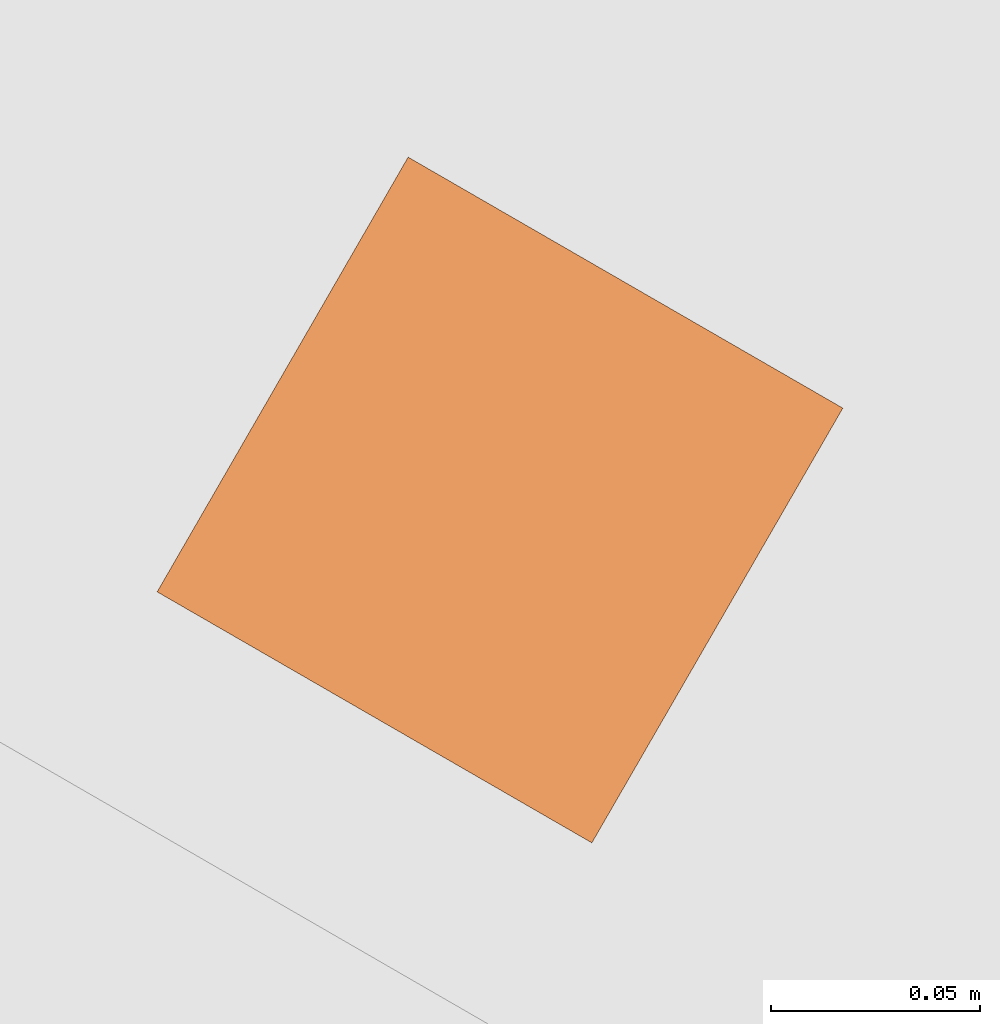
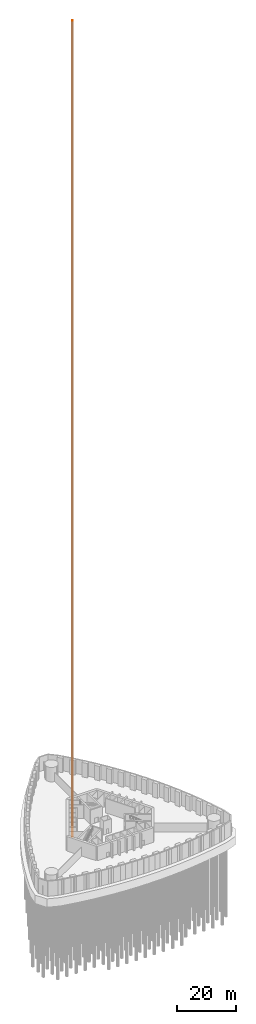
# One storey, part 12 of 12: 1 proxy.
"""IFC4 building model written with IfcOpenShell, lengths in metres."""

from ifc_helpers import new_model, si_unit, direction, frame, origin, origin_2d, place, context, subcontext, project, spatial, rectangle, extrude, element, save


model = new_model("IFC4")

# Units and contexts
model_context = context("Model", 3, precision=1e-05, world=origin(), true_north=direction((0.0, 1.0)))
body_context = subcontext(model_context, "Body", "Model", "MODEL_VIEW")
ifc_project = project(units=[si_unit("LENGTHUNIT", "METRE"), si_unit("AREAUNIT", "SQUARE_METRE"), si_unit("VOLUMEUNIT", "CUBIC_METRE"), si_unit("PLANEANGLEUNIT", "RADIAN"), si_unit("MASSUNIT", "GRAM", prefix="KILO")], contexts=[model_context])

# Site, building, storey
site_placement = place(None, origin())
site = spatial("IfcSite", under=ifc_project, at=site_placement, CompositionType="ELEMENT")
building_placement = place(site_placement, origin())
building = spatial("IfcBuilding", under=site, at=building_placement, Name="Trefoil Bronze Tower", CompositionType="ELEMENT")
storey_placement = place(building_placement, frame((0.0, 0.0, -6.0)))
storey = spatial("IfcBuildingStorey", under=building, at=storey_placement, Name="B1", CompositionType="ELEMENT", Elevation=-6.0)

# Proxy
proxy_placement = place(storey_placement, frame((-10.1044921875, 5.12353515625, -1.599853515625), z_axis=(0.0, 0.0, 1.0), x_axis=(-0.5, -0.866025403784, 0.0)))
element("IfcBuildingElementProxy", 1, at=proxy_placement, inside=storey, Name="Lift FL1 guide rail 1", ObjectType="LIFT GUIDE RAIL", PredefinedType="USERDEFINED", context=body_context, shape_type="SweptSolid", body=[
    extrude(rectangle(XDim=0.1201171875, YDim=0.1201171875, at=origin_2d()), origin(), (0.0, 0.0, 1.0), 340.39990234375),
])

save(model, "model.ifc")
